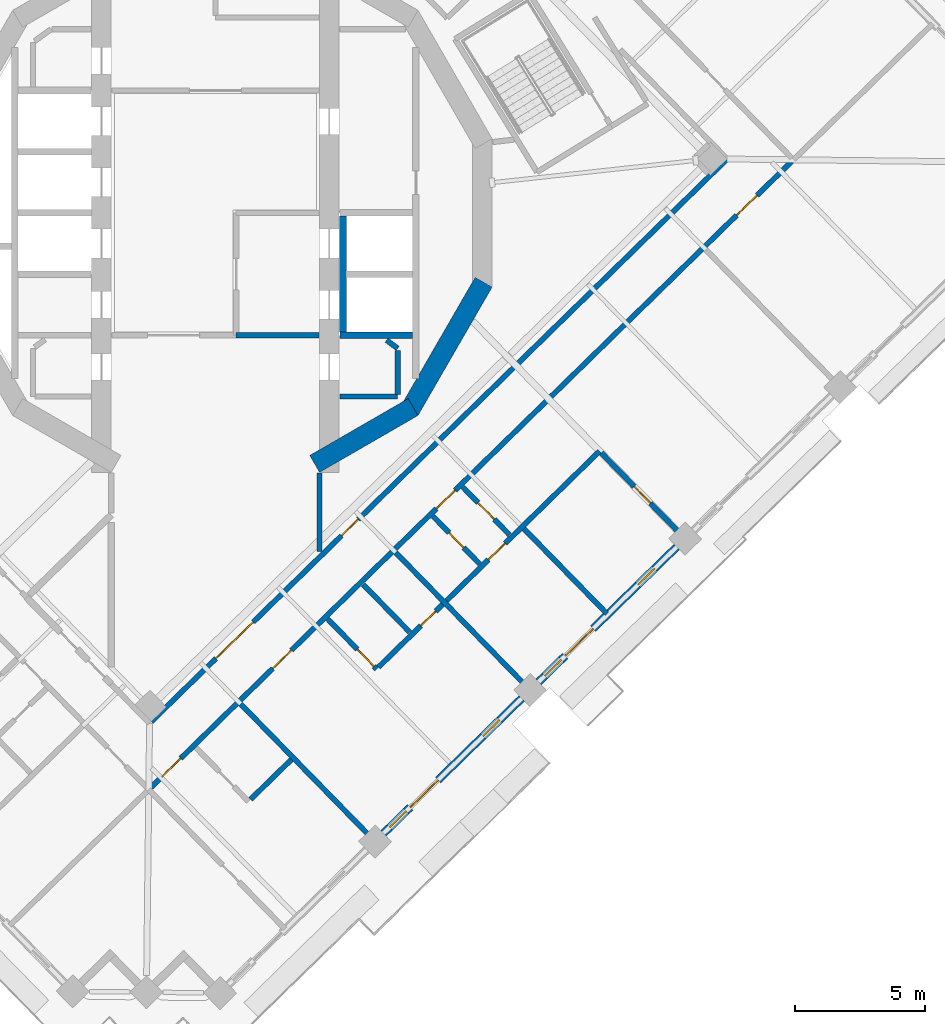
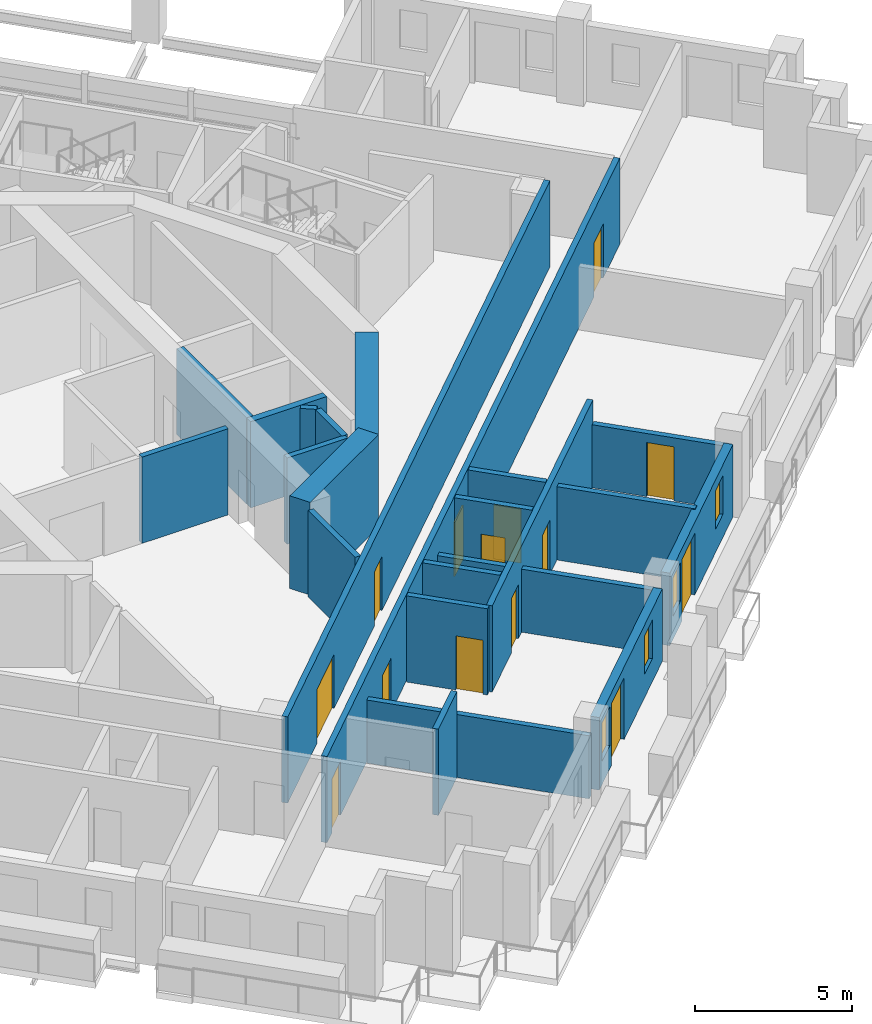
# One storey, part 9 of 20: 23 walls, 14 doors, 4 windows, 18 openings.
"""IFC4 building model written with IfcOpenShell, lengths in metres."""

from ifc_helpers import new_model, si_unit, direction, frame, frame_2d, origin, place, context, subcontext, project, spatial, rectangle, extrude, material, layer, layer_set, type_object, element, fill, save


model = new_model("IFC4")

# Units and contexts
model_context = context("Model", 3, precision=1e-05, world=origin(), true_north=direction((0.0, 1.0)))
body_context = subcontext(model_context, "Body", "Model", "MODEL_VIEW")
ifc_project = project(units=[si_unit("LENGTHUNIT", "METRE"), si_unit("AREAUNIT", "SQUARE_METRE"), si_unit("VOLUMEUNIT", "CUBIC_METRE"), si_unit("PLANEANGLEUNIT", "RADIAN"), si_unit("MASSUNIT", "GRAM", prefix="KILO")], contexts=[model_context])

# Site, building, storey
site_placement = place(None, origin())
site = spatial("IfcSite", under=ifc_project, at=site_placement, CompositionType="ELEMENT")
building_placement = place(site_placement, origin())
building = spatial("IfcBuilding", under=site, at=building_placement, Name="Cantera Rosa Tower", CompositionType="ELEMENT")
storey_placement = place(building_placement, frame((0.0, 0.0, 212.60009765625)))
storey = spatial("IfcBuildingStorey", under=building, at=storey_placement, Name="L45", CompositionType="ELEMENT", Elevation=212.60009765625)

# Wall, openings, doors
ifc_material_1 = material(Name="Gypsum board partition")
ifc_layer_1 = layer(ifc_material_1, 0.199951171875)
ifc_layer_set_1 = layer_set([ifc_layer_1], Name="CORRIDOR WALL 200 H3350")
wall_type_1 = type_object("IfcWallType", Name="CORRIDOR WALL 200 H3350", PredefinedType="PARTITIONING", material=ifc_layer_set_1)
wall_1_placement = place(storey_placement, frame((-2.469970703125, -22.0556640625, 0.0), z_axis=(0.0, 0.0, 1.0), x_axis=(0.715286619748, 0.698831203946, 0.0)))
wall_1 = element("IfcWall", 1, at=wall_1_placement, inside=storey, type_object=wall_type_1, Name="CORRIDOR WALL L45-062", PredefinedType="PARTITIONING", context=body_context, shape_type="SweptSolid", body=[
    extrude(rectangle(XDim=34.47998046875, YDim=0.199951171875, at=frame_2d((17.239990234375, 0.0))), origin(), (0.0, 0.0, 1.0), 3.349853515625),
])
opening_1_placement = place(wall_1_placement, frame((6.534912109375, 0.0, 0.0)))
opening_1 = element("IfcOpeningElement", 2, at=opening_1_placement, cuts=wall_1, Name="Opening L45-045", PredefinedType="OPENING", context=body_context, shape_type="SweptSolid", body=[
    extrude(rectangle(XDim=1.0, YDim=2.10009765625, at=frame_2d((0.5, 1.050048828125))), frame((0.0, 0.10986328125, 0.0), z_axis=(0.0, -1.0, 0.0), x_axis=(1.0, 0.0, 0.0)), (0.0, 0.0, 1.0), 0.219970703125),
])
opening_2_placement = place(wall_1_placement, frame((15.320068359375, 0.0, 0.0)))
opening_2 = element("IfcOpeningElement", 3, at=opening_2_placement, cuts=wall_1, Name="Opening L45-048", PredefinedType="OPENING", context=body_context, shape_type="SweptSolid", body=[
    extrude(rectangle(XDim=1.0, YDim=2.10009765625, at=frame_2d((0.5, 1.050048828125))), frame((0.0, 0.10986328125, 0.0), z_axis=(0.0, -1.0, 0.0), x_axis=(1.0, 0.0, 0.0)), (0.0, 0.0, 1.0), 0.219970703125),
])
opening_3_placement = place(wall_1_placement, frame((0.590087890625, 0.0, 0.0)))
opening_3 = element("IfcOpeningElement", 4, at=opening_3_placement, cuts=wall_1, Name="Opening L45-053", PredefinedType="OPENING", context=body_context, shape_type="SweptSolid", body=[
    extrude(rectangle(XDim=1.0, YDim=2.10009765625, at=frame_2d((0.5, 1.050048828125))), frame((0.0, 0.10986328125, 0.0), z_axis=(0.0, -1.0, 0.0), x_axis=(1.0, 0.0, 0.0)), (0.0, 0.0, 1.0), 0.219970703125),
])
opening_4_placement = place(wall_1_placement, frame((31.429931640625, 0.0, 0.0)))
opening_4 = element("IfcOpeningElement", 5, at=opening_4_placement, cuts=wall_1, Name="Opening L45-056", PredefinedType="OPENING", context=body_context, shape_type="SweptSolid", body=[
    extrude(rectangle(XDim=1.10009765625, YDim=2.10009765625, at=frame_2d((0.550048828125, 1.050048828125))), frame((0.0, 0.10986328125, 0.0), z_axis=(0.0, -1.0, 0.0), x_axis=(1.0, 0.0, 0.0)), (0.0, 0.0, 1.0), 0.219970703125),
])
ifc_material_2 = material(Name="Timber door leaf", Category="wood")
door_type_1 = type_object("IfcDoorType", Name="ENTRANCE DOOR 1000x2100", OperationType="NOTDEFINED", PredefinedType="DOOR", material=ifc_material_2)
door_1_placement = place(opening_1_placement, origin())
door_1 = element("IfcDoor", 6, at=door_1_placement, inside=storey, type_object=door_type_1, Name="DOOR L45-045", OperationType="NOTDEFINED", OverallHeight=2.10009765625, OverallWidth=1.0, PredefinedType="DOOR", context=body_context, shape_type="SweptSolid", body=[
    extrude(rectangle(XDim=1.0, YDim=2.10009765625, at=frame_2d((0.5, 1.050048828125))), frame((0.0, 0.02490234375, 0.0), z_axis=(0.0, -1.0, 0.0), x_axis=(1.0, 0.0, 0.0)), (0.0, 0.0, 1.0), 0.050048828125),
])
fill(opening_1, door_1)
door_2_placement = place(opening_2_placement, origin())
door_2 = element("IfcDoor", 7, at=door_2_placement, inside=storey, type_object=door_type_1, Name="DOOR L45-048", OperationType="NOTDEFINED", OverallHeight=2.10009765625, OverallWidth=1.0, PredefinedType="DOOR", context=body_context, shape_type="SweptSolid", body=[
    extrude(rectangle(XDim=1.0, YDim=2.10009765625, at=frame_2d((0.5, 1.050048828125))), frame((0.0, 0.02490234375, 0.0), z_axis=(0.0, -1.0, 0.0), x_axis=(1.0, 0.0, 0.0)), (0.0, 0.0, 1.0), 0.050048828125),
])
fill(opening_2, door_2)
door_3_placement = place(opening_3_placement, origin())
door_3 = element("IfcDoor", 8, at=door_3_placement, inside=storey, type_object=door_type_1, Name="DOOR L45-053", OperationType="NOTDEFINED", OverallHeight=2.10009765625, OverallWidth=1.0, PredefinedType="DOOR", context=body_context, shape_type="SweptSolid", body=[
    extrude(rectangle(XDim=1.0, YDim=2.10009765625, at=frame_2d((0.5, 1.050048828125))), frame((0.0, 0.02490234375, 0.0), z_axis=(0.0, -1.0, 0.0), x_axis=(1.0, 0.0, 0.0)), (0.0, 0.0, 1.0), 0.050048828125),
])
fill(opening_3, door_3)
ifc_material_3 = material(Name="Timber door leaf", Category="wood")
door_type_2 = type_object("IfcDoorType", Name="ROOM DOOR 1100x2100", OperationType="NOTDEFINED", PredefinedType="DOOR", material=ifc_material_3)
door_4_placement = place(opening_4_placement, origin())
door_4 = element("IfcDoor", 9, at=door_4_placement, inside=storey, type_object=door_type_2, Name="DOOR L45-056", OperationType="NOTDEFINED", OverallHeight=2.10009765625, OverallWidth=1.10009765625, PredefinedType="DOOR", context=body_context, shape_type="SweptSolid", body=[
    extrude(rectangle(XDim=1.10009765625, YDim=2.10009765625, at=frame_2d((0.550048828125, 1.050048828125))), frame((0.0, 0.02490234375, 0.0), z_axis=(0.0, -1.0, 0.0), x_axis=(1.0, 0.0, 0.0)), (0.0, 0.0, 1.0), 0.050048828125),
])
fill(opening_4, door_4)

wall_2_placement = place(storey_placement, frame((-2.45458984375, -19.5244140625, 0.0), z_axis=(0.0, 0.0, 1.0), x_axis=(0.715283867267, 0.698834021229, 0.0)))
wall_2 = element("IfcWall", 10, at=wall_2_placement, inside=storey, type_object=wall_type_1, Name="CORRIDOR WALL L45-063", PredefinedType="PARTITIONING", context=body_context, shape_type="SweptSolid", body=[
    extrude(rectangle(XDim=30.900146484375, YDim=0.199951171875, at=frame_2d((15.4501953125, 0.0))), origin(), (0.0, 0.0, 1.0), 3.349853515625),
])
opening_5_placement = place(wall_2_placement, frame((10.20458984375, 0.0, 0.0)))
opening_5 = element("IfcOpeningElement", 11, at=opening_5_placement, cuts=wall_2, Name="Opening L45-011", PredefinedType="OPENING", context=body_context, shape_type="SweptSolid", body=[
    extrude(rectangle(XDim=0.89990234375, YDim=2.10009765625, at=frame_2d((0.449951171875, 1.050048828125))), frame((0.0, 0.10986328125, 0.0), z_axis=(0.0, -1.0, 0.0), x_axis=(1.0, 0.0, 0.0)), (0.0, 0.0, 1.0), 0.219970703125),
])
opening_6_placement = place(wall_2_placement, frame((3.4619140625, 0.0, 0.0)))
opening_6 = element("IfcOpeningElement", 12, at=opening_6_placement, cuts=wall_2, Name="Opening L45-014", PredefinedType="OPENING", context=body_context, shape_type="SweptSolid", body=[
    extrude(rectangle(XDim=2.0, YDim=2.10009765625, at=frame_2d((1.0, 1.050048828125))), frame((0.0, 0.10986328125, 0.0), z_axis=(0.0, -1.0, 0.0), x_axis=(1.0, 0.0, 0.0)), (0.0, 0.0, 1.0), 0.219970703125),
])
ifc_material_4 = material(Name="Steel S355J2 (EN 10025-2)", Category="steel")
door_type_3 = type_object("IfcDoorType", Name="LOBBY SCREEN DOOR 2000x2100", OperationType="NOTDEFINED", PredefinedType="DOOR", material=ifc_material_4)
door_5_placement = place(opening_6_placement, origin())
door_5 = element("IfcDoor", 13, at=door_5_placement, inside=storey, type_object=door_type_3, Name="DOOR L45-014", OperationType="NOTDEFINED", OverallHeight=2.10009765625, OverallWidth=2.0, PredefinedType="DOOR", context=body_context, shape_type="SweptSolid", body=[
    extrude(rectangle(XDim=2.0, YDim=2.10009765625, at=frame_2d((1.0, 1.050048828125))), frame((0.0, 0.02490234375, 0.0), z_axis=(0.0, -1.0, 0.0), x_axis=(1.0, 0.0, 0.0)), (0.0, 0.0, 1.0), 0.050048828125),
])
fill(opening_6, door_5)
ifc_material_5 = material(Name="Timber door leaf", Category="wood")
door_type_4 = type_object("IfcDoorType", Name="SERVICE DOOR 900x2100", OperationType="NOTDEFINED", PredefinedType="DOOR", material=ifc_material_5)
door_6_placement = place(opening_5_placement, origin())
door_6 = element("IfcDoor", 14, at=door_6_placement, inside=storey, type_object=door_type_4, Name="DOOR L45-011", OperationType="NOTDEFINED", OverallHeight=2.10009765625, OverallWidth=0.89990234375, PredefinedType="DOOR", context=body_context, shape_type="SweptSolid", body=[
    extrude(rectangle(XDim=0.89990234375, YDim=2.10009765625, at=frame_2d((0.449951171875, 1.050048828125))), frame((0.0, 0.02490234375, 0.0), z_axis=(0.0, -1.0, 0.0), x_axis=(1.0, 0.0, 0.0)), (0.0, 0.0, 1.0), 0.050048828125),
])
fill(opening_5, door_6)

# Wall
wall_3_placement = place(storey_placement, frame((4.0, -12.998046875, 0.0), z_axis=(0.0, 0.0, 1.0), x_axis=(0.0, 1.0, 0.0)))
element("IfcWall", 15, at=wall_3_placement, inside=storey, type_object=wall_type_1, Name="CORRIDOR WALL L45-078", PredefinedType="PARTITIONING", context=body_context, shape_type="SweptSolid", body=[
    extrude(rectangle(XDim=3.00390625, YDim=0.199951171875, at=frame_2d((1.501953125, 0.0))), origin(), (0.0, 0.0, 1.0), 3.349853515625),
])

# Wall, openings, windows, door
ifc_material_6 = material(Name="Hollow clay masonry with cantera stone cladding", Category="masonry")
ifc_layer_2 = layer(ifc_material_6, 0.300048828125)
ifc_layer_set_2 = layer_set([ifc_layer_2], Name="EW-LOGGIA 300 H2820")
wall_type_2 = type_object("IfcWallType", Name="EW-LOGGIA 300 H2820", PredefinedType="SOLIDWALL", material=ifc_layer_set_2)
wall_4_placement = place(storey_placement, frame((6.454833984375, -23.8212890625, 0.0), z_axis=(0.0, 0.0, 1.0), x_axis=(0.715300826176, 0.698816662703, 0.0)))
wall_4 = element("IfcWall", 16, at=wall_4_placement, inside=storey, type_object=wall_type_2, Name="EN-L45-W22", PredefinedType="SOLIDWALL", context=body_context, shape_type="SweptSolid", body=[
    extrude(rectangle(XDim=7.420166015625, YDim=0.300048828125, at=frame_2d((3.7099609375, 0.0))), origin(), (0.0, 0.0, 1.0), 2.81982421875),
])
opening_7_placement = place(wall_4_placement, frame((0.330078125, 0.0, 0.89990234375)))
opening_7 = element("IfcOpeningElement", 17, at=opening_7_placement, cuts=wall_4, Name="Opening L45-W40", PredefinedType="OPENING", context=body_context, shape_type="SweptSolid", body=[
    extrude(rectangle(XDim=0.89990234375, YDim=1.5, at=frame_2d((0.449951171875, 0.75))), frame((0.0, 0.159912109375, 0.0), z_axis=(0.0, -1.0, 0.0), x_axis=(1.0, 0.0, 0.0)), (0.0, 0.0, 1.0), 0.320068359375),
])
opening_8_placement = place(wall_4_placement, frame((1.429931640625, 0.0, 0.0)))
opening_8 = element("IfcOpeningElement", 18, at=opening_8_placement, cuts=wall_4, Name="Opening L45-TD41", PredefinedType="OPENING", context=body_context, shape_type="SweptSolid", body=[
    extrude(rectangle(XDim=1.5, YDim=2.39990234375, at=frame_2d((0.75, 1.199951171875))), frame((0.0, 0.159912109375, 0.0), z_axis=(0.0, -1.0, 0.0), x_axis=(1.0, 0.0, 0.0)), (0.0, 0.0, 1.0), 0.320068359375),
])
opening_9_placement = place(wall_4_placement, frame((5.340087890625, 0.0, 0.89990234375)))
opening_9 = element("IfcOpeningElement", 19, at=opening_9_placement, cuts=wall_4, Name="Opening L45-W42", PredefinedType="OPENING", context=body_context, shape_type="SweptSolid", body=[
    extrude(rectangle(XDim=0.89990234375, YDim=1.5, at=frame_2d((0.449951171875, 0.75))), frame((0.0, 0.159912109375, 0.0), z_axis=(0.0, -1.0, 0.0), x_axis=(1.0, 0.0, 0.0)), (0.0, 0.0, 1.0), 0.320068359375),
])
ifc_material_7 = material(Name="Aluminium frame with clear glass", Category="aluminium")
window_type = type_object("IfcWindowType", Name="Residential window 900x1500", PartitioningType="SINGLE_PANEL", PredefinedType="WINDOW", material=ifc_material_7)
window_1_placement = place(opening_7_placement, origin())
window_1 = element("IfcWindow", 20, at=window_1_placement, inside=storey, type_object=window_type, Name="WINDOW L45-W40", OverallHeight=1.5, OverallWidth=0.89990234375, PartitioningType="SINGLE_PANEL", PredefinedType="WINDOW", context=body_context, shape_type="SweptSolid", body=[
    extrude(rectangle(XDim=0.89990234375, YDim=1.5, at=frame_2d((0.449951171875, 0.75))), frame((0.0, 0.030029296875, 0.0), z_axis=(0.0, -1.0, 0.0), x_axis=(1.0, 0.0, 0.0)), (0.0, 0.0, 1.0), 0.06005859375),
])
fill(opening_7, window_1)
window_2_placement = place(opening_9_placement, origin())
window_2 = element("IfcWindow", 21, at=window_2_placement, inside=storey, type_object=window_type, Name="WINDOW L45-W42", OverallHeight=1.5, OverallWidth=0.89990234375, PartitioningType="SINGLE_PANEL", PredefinedType="WINDOW", context=body_context, shape_type="SweptSolid", body=[
    extrude(rectangle(XDim=0.89990234375, YDim=1.5, at=frame_2d((0.449951171875, 0.75))), frame((0.0, 0.030029296875, 0.0), z_axis=(0.0, -1.0, 0.0), x_axis=(1.0, 0.0, 0.0)), (0.0, 0.0, 1.0), 0.06005859375),
])
fill(opening_9, window_2)
ifc_material_8 = material(Name="Aluminium frame with clear glass", Category="aluminium")
door_type_5 = type_object("IfcDoorType", Name="TD-R 1500x2400", OperationType="NOTDEFINED", PredefinedType="DOOR", material=ifc_material_8)
door_7_placement = place(opening_8_placement, origin())
door_7 = element("IfcDoor", 22, at=door_7_placement, inside=storey, type_object=door_type_5, Name="LOGGIA DOOR L45-TD41", OperationType="SLIDING_TO_LEFT", OverallHeight=2.39990234375, OverallWidth=1.5, PredefinedType="DOOR", context=body_context, shape_type="SweptSolid", body=[
    extrude(rectangle(XDim=1.5, YDim=2.39990234375, at=frame_2d((0.75, 1.199951171875))), frame((0.0, 0.02490234375, 0.0), z_axis=(0.0, -1.0, 0.0), x_axis=(1.0, 0.0, 0.0)), (0.0, 0.0, 1.0), 0.050048828125),
])
fill(opening_8, door_7)

wall_5_placement = place(storey_placement, frame((12.406005859375, -18.007080078125, 0.0), z_axis=(0.0, 0.0, 1.0), x_axis=(0.715300826176, 0.698816662703, 0.0)))
wall_5 = element("IfcWall", 23, at=wall_5_placement, inside=storey, type_object=wall_type_2, Name="EN-L45-W23", PredefinedType="SOLIDWALL", context=body_context, shape_type="SweptSolid", body=[
    extrude(rectangle(XDim=7.420166015625, YDim=0.300048828125, at=frame_2d((3.7099609375, 0.0))), origin(), (0.0, 0.0, 1.0), 2.81982421875),
])
opening_10_placement = place(wall_5_placement, frame((0.330078125, 0.0, 0.89990234375)))
opening_10 = element("IfcOpeningElement", 24, at=opening_10_placement, cuts=wall_5, Name="Opening L45-W43", PredefinedType="OPENING", context=body_context, shape_type="SweptSolid", body=[
    extrude(rectangle(XDim=0.89990234375, YDim=1.5, at=frame_2d((0.449951171875, 0.75))), frame((0.0, 0.159912109375, 0.0), z_axis=(0.0, -1.0, 0.0), x_axis=(1.0, 0.0, 0.0)), (0.0, 0.0, 1.0), 0.320068359375),
])
opening_11_placement = place(wall_5_placement, frame((1.429931640625, 0.0, 0.0)))
opening_11 = element("IfcOpeningElement", 25, at=opening_11_placement, cuts=wall_5, Name="Opening L45-TD44", PredefinedType="OPENING", context=body_context, shape_type="SweptSolid", body=[
    extrude(rectangle(XDim=1.5, YDim=2.39990234375, at=frame_2d((0.75, 1.199951171875))), frame((0.0, 0.159912109375, 0.0), z_axis=(0.0, -1.0, 0.0), x_axis=(1.0, 0.0, 0.0)), (0.0, 0.0, 1.0), 0.320068359375),
])
opening_12_placement = place(wall_5_placement, frame((5.340087890625, 0.0, 0.89990234375)))
opening_12 = element("IfcOpeningElement", 26, at=opening_12_placement, cuts=wall_5, Name="Opening L45-W45", PredefinedType="OPENING", context=body_context, shape_type="SweptSolid", body=[
    extrude(rectangle(XDim=0.89990234375, YDim=1.5, at=frame_2d((0.449951171875, 0.75))), frame((0.0, 0.159912109375, 0.0), z_axis=(0.0, -1.0, 0.0), x_axis=(1.0, 0.0, 0.0)), (0.0, 0.0, 1.0), 0.320068359375),
])
window_3_placement = place(opening_10_placement, origin())
window_3 = element("IfcWindow", 27, at=window_3_placement, inside=storey, type_object=window_type, Name="WINDOW L45-W43", OverallHeight=1.5, OverallWidth=0.89990234375, PartitioningType="SINGLE_PANEL", PredefinedType="WINDOW", context=body_context, shape_type="SweptSolid", body=[
    extrude(rectangle(XDim=0.89990234375, YDim=1.5, at=frame_2d((0.449951171875, 0.75))), frame((0.0, 0.030029296875, 0.0), z_axis=(0.0, -1.0, 0.0), x_axis=(1.0, 0.0, 0.0)), (0.0, 0.0, 1.0), 0.06005859375),
])
fill(opening_10, window_3)
window_4_placement = place(opening_12_placement, origin())
window_4 = element("IfcWindow", 28, at=window_4_placement, inside=storey, type_object=window_type, Name="WINDOW L45-W45", OverallHeight=1.5, OverallWidth=0.89990234375, PartitioningType="SINGLE_PANEL", PredefinedType="WINDOW", context=body_context, shape_type="SweptSolid", body=[
    extrude(rectangle(XDim=0.89990234375, YDim=1.5, at=frame_2d((0.449951171875, 0.75))), frame((0.0, 0.030029296875, 0.0), z_axis=(0.0, -1.0, 0.0), x_axis=(1.0, 0.0, 0.0)), (0.0, 0.0, 1.0), 0.06005859375),
])
fill(opening_12, window_4)
door_8_placement = place(opening_11_placement, origin())
door_8 = element("IfcDoor", 29, at=door_8_placement, inside=storey, type_object=door_type_5, Name="LOGGIA DOOR L45-TD44", OperationType="SLIDING_TO_LEFT", OverallHeight=2.39990234375, OverallWidth=1.5, PredefinedType="DOOR", context=body_context, shape_type="SweptSolid", body=[
    extrude(rectangle(XDim=1.5, YDim=2.39990234375, at=frame_2d((0.75, 1.199951171875))), frame((0.0, 0.02490234375, 0.0), z_axis=(0.0, -1.0, 0.0), x_axis=(1.0, 0.0, 0.0)), (0.0, 0.0, 1.0), 0.050048828125),
])
fill(opening_11, door_8)

# Wall, opening, door
ifc_material_9 = material(Name="Gypsum board partition")
ifc_layer_3 = layer(ifc_material_9, 0.199951171875)
ifc_layer_set_3 = layer_set([ifc_layer_3], Name="PARTITION 200 H2450")
wall_type_3 = type_object("IfcWallType", Name="PARTITION 200 H2450", PredefinedType="PARTITIONING", material=ifc_layer_set_3)
wall_6_placement = place(storey_placement, frame((14.82080078125, -9.217041015625, 0.0), z_axis=(0.0, 0.0, 1.0), x_axis=(0.698831711541, -0.71528612383, 0.0)))
wall_6 = element("IfcWall", 30, at=wall_6_placement, inside=storey, type_object=wall_type_3, Name="PARTITION L45-113", PredefinedType="PARTITIONING", context=body_context, shape_type="SweptSolid", body=[
    extrude(rectangle(XDim=4.56982421875, YDim=0.199951171875, at=frame_2d((2.284912109375, 0.0))), origin(), (0.0, 0.0, 1.0), 2.449951171875),
])
opening_13_placement = place(wall_6_placement, frame((1.800048828125, 0.0, 0.0)))
opening_13 = element("IfcOpeningElement", 31, at=opening_13_placement, cuts=wall_6, Name="Opening L45-052", PredefinedType="OPENING", context=body_context, shape_type="SweptSolid", body=[
    extrude(rectangle(XDim=0.89990234375, YDim=2.10009765625, at=frame_2d((0.449951171875, 1.050048828125))), frame((0.0, 0.10986328125, 0.0), z_axis=(0.0, -1.0, 0.0), x_axis=(1.0, 0.0, 0.0)), (0.0, 0.0, 1.0), 0.219970703125),
])
ifc_material_10 = material(Name="Timber door leaf", Category="wood")
door_type_6 = type_object("IfcDoorType", Name="ROOM DOOR 900x2100", OperationType="NOTDEFINED", PredefinedType="DOOR", material=ifc_material_10)
door_9_placement = place(opening_13_placement, origin())
door_9 = element("IfcDoor", 32, at=door_9_placement, inside=storey, type_object=door_type_6, Name="DOOR L45-052", OperationType="NOTDEFINED", OverallHeight=2.10009765625, OverallWidth=0.89990234375, PredefinedType="DOOR", context=body_context, shape_type="SweptSolid", body=[
    extrude(rectangle(XDim=0.89990234375, YDim=2.10009765625, at=frame_2d((0.449951171875, 1.050048828125))), frame((0.0, 0.02490234375, 0.0), z_axis=(0.0, -1.0, 0.0), x_axis=(1.0, 0.0, 0.0)), (0.0, 0.0, 1.0), 0.050048828125),
])
fill(opening_13, door_9)

# Walls
ifc_material_11 = material(Name="Gypsum board partition")
ifc_layer_4 = layer(ifc_material_11, 0.199951171875)
ifc_layer_set_4 = layer_set([ifc_layer_4], Name="PARTITION 200 H2850")
wall_type_4 = type_object("IfcWallType", Name="PARTITION 200 H2850", PredefinedType="PARTITIONING", material=ifc_layer_set_4)
wall_7_placement = place(storey_placement, frame((11.84521484375, -12.1240234375, 0.0), z_axis=(0.0, 0.0, 1.0), x_axis=(0.698805007599, -0.715312212502, 0.0)))
element("IfcWall", 33, at=wall_7_placement, inside=storey, type_object=wall_type_4, Name="PARTITION L45-107", PredefinedType="PARTITIONING", context=body_context, shape_type="SweptSolid", body=[
    extrude(rectangle(XDim=4.570068359375, YDim=0.199951171875, at=frame_2d((2.28515625, 0.0))), origin(), (0.0, 0.0, 1.0), 2.849853515625),
])
ifc_material_12 = material(Name="Gypsum board partition")
ifc_layer_5 = layer(ifc_material_12, 0.199951171875)
ifc_layer_set_5 = layer_set([ifc_layer_5], Name="PARTITION 200 H3350")
wall_type_5 = type_object("IfcWallType", Name="PARTITION 200 H3350", PredefinedType="PARTITIONING", material=ifc_layer_set_5)
wall_8_placement = place(storey_placement, frame((2.916748046875, -20.98681640625, 0.0), z_axis=(0.0, 0.0, 1.0), x_axis=(-0.715234272025, -0.69888478029, 0.0)))
element("IfcWall", 34, at=wall_8_placement, inside=storey, type_object=wall_type_5, Name="PARTITION L45-076", PredefinedType="PARTITIONING", context=body_context, shape_type="SweptSolid", body=[
    extrude(rectangle(XDim=2.18017578125, YDim=0.199951171875, at=frame_2d((1.090087890625, 0.0))), origin(), (0.0, 0.0, 1.0), 3.349853515625),
])

# Wall, opening, door
wall_9_placement = place(storey_placement, frame((6.18896484375, -17.510498046875, 0.0), z_axis=(0.0, 0.0, 1.0), x_axis=(-0.698814330011, 0.715303105104, 0.0)))
wall_9 = element("IfcWall", 35, at=wall_9_placement, inside=storey, type_object=wall_type_5, Name="PARTITION L45-087", PredefinedType="PARTITIONING", context=body_context, shape_type="SweptSolid", body=[
    extrude(rectangle(XDim=2.679931640625, YDim=0.199951171875, at=frame_2d((1.33984375, 0.0))), origin(), (0.0, 0.0, 1.0), 3.349853515625),
])
opening_14_placement = place(wall_9_placement, frame((0.14990234375, 0.0, 0.0)))
opening_14 = element("IfcOpeningElement", 36, at=opening_14_placement, cuts=wall_9, Name="Opening L45-047", PredefinedType="OPENING", context=body_context, shape_type="SweptSolid", body=[
    extrude(rectangle(XDim=0.89990234375, YDim=2.10009765625, at=frame_2d((0.449951171875, 1.050048828125))), frame((0.0, 0.10986328125, 0.0), z_axis=(0.0, -1.0, 0.0), x_axis=(1.0, 0.0, 0.0)), (0.0, 0.0, 1.0), 0.219970703125),
])
door_10_placement = place(opening_14_placement, origin())
door_10 = element("IfcDoor", 37, at=door_10_placement, inside=storey, type_object=door_type_6, Name="DOOR L45-047", OperationType="NOTDEFINED", OverallHeight=2.10009765625, OverallWidth=0.89990234375, PredefinedType="DOOR", context=body_context, shape_type="SweptSolid", body=[
    extrude(rectangle(XDim=0.89990234375, YDim=2.10009765625, at=frame_2d((0.449951171875, 1.050048828125))), frame((0.0, 0.02490234375, 0.0), z_axis=(0.0, -1.0, 0.0), x_axis=(1.0, 0.0, 0.0)), (0.0, 0.0, 1.0), 0.050048828125),
])
fill(opening_14, door_10)

# Walls
wall_10_placement = place(storey_placement, frame((6.572509765625, -4.888427734375, 0.0), z_axis=(0.0, 0.0, 1.0), x_axis=(0.808176867567, -0.588939853236, 0.0)))
element("IfcWall", 38, at=wall_10_placement, inside=storey, type_object=wall_type_5, Name="PARTITION L45-088", PredefinedType="PARTITIONING", context=body_context, shape_type="SweptSolid", body=[
    extrude(rectangle(XDim=0.529052734375, YDim=0.199951171875, at=frame_2d((0.2646484375, 0.0))), origin(), (0.0, 0.0, 1.0), 3.349853515625),
])
wall_11_placement = place(storey_placement, frame((7.0, -7.050048828125, 0.0), z_axis=(0.0, 0.0, 1.0), x_axis=(-1.0, 0.0, 0.0)))
element("IfcWall", 39, at=wall_11_placement, inside=storey, type_object=wall_type_5, Name="PARTITION L45-091", PredefinedType="PARTITIONING", context=body_context, shape_type="SweptSolid", body=[
    extrude(rectangle(XDim=2.219970703125, YDim=0.199951171875, at=frame_2d((1.10986328125, 0.0))), origin(), (0.0, 0.0, 1.0), 3.349853515625),
])
wall_12_placement = place(storey_placement, frame((7.0, -5.280029296875, 0.0), z_axis=(0.0, 0.0, 1.0), x_axis=(0.0, -1.0, 0.0)))
element("IfcWall", 40, at=wall_12_placement, inside=storey, type_object=wall_type_5, Name="PARTITION L45-092", PredefinedType="PARTITIONING", context=body_context, shape_type="SweptSolid", body=[
    extrude(rectangle(XDim=1.68994140625, YDim=0.199951171875, at=frame_2d((0.844970703125, 0.0))), origin(), (0.0, 0.0, 1.0), 3.349853515625),
])
wall_13_placement = place(storey_placement, frame((7.464111328125, -16.0966796875, 0.0), z_axis=(0.0, 0.0, 1.0), x_axis=(-0.698857556493, 0.715260872502, 0.0)))
element("IfcWall", 41, at=wall_13_placement, inside=storey, type_object=wall_type_5, Name="PARTITION L45-095", PredefinedType="PARTITIONING", context=body_context, shape_type="SweptSolid", body=[
    extrude(rectangle(XDim=2.56005859375, YDim=0.199951171875, at=frame_2d((1.280029296875, 0.0))), origin(), (0.0, 0.0, 1.0), 3.349853515625),
])

# Wall, opening, door
wall_14_placement = place(storey_placement, frame((8.357421875, -11.64501953125, 0.0), z_axis=(0.0, 0.0, 1.0), x_axis=(0.698809886965, -0.715307445705, 0.0)))
wall_14 = element("IfcWall", 42, at=wall_14_placement, inside=storey, type_object=wall_type_5, Name="PARTITION L45-099", PredefinedType="PARTITIONING", context=body_context, shape_type="SweptSolid", body=[
    extrude(rectangle(XDim=2.56005859375, YDim=0.199951171875, at=frame_2d((1.280029296875, 0.0))), origin(), (0.0, 0.0, 1.0), 3.349853515625),
])
opening_15_placement = place(wall_14_placement, frame((0.8798828125, 0.0, 0.0)))
opening_15 = element("IfcOpeningElement", 43, at=opening_15_placement, cuts=wall_14, Name="Opening L45-049", PredefinedType="OPENING", context=body_context, shape_type="SweptSolid", body=[
    extrude(rectangle(XDim=0.800048828125, YDim=2.10009765625, at=frame_2d((0.39990234375, 1.050048828125))), frame((0.0, 0.10986328125, 0.0), z_axis=(0.0, -1.0, 0.0), x_axis=(1.0, 0.0, 0.0)), (0.0, 0.0, 1.0), 0.219970703125),
])
ifc_material_13 = material(Name="Timber door leaf", Category="wood")
door_type_7 = type_object("IfcDoorType", Name="BATHROOM DOOR 800x2100", OperationType="NOTDEFINED", PredefinedType="DOOR", material=ifc_material_13)
door_11_placement = place(opening_15_placement, origin())
door_11 = element("IfcDoor", 44, at=door_11_placement, inside=storey, type_object=door_type_7, Name="DOOR L45-049", OperationType="NOTDEFINED", OverallHeight=2.10009765625, OverallWidth=0.800048828125, PredefinedType="DOOR", context=body_context, shape_type="SweptSolid", body=[
    extrude(rectangle(XDim=0.800048828125, YDim=2.10009765625, at=frame_2d((0.39990234375, 1.050048828125))), frame((0.0, 0.02490234375, 0.0), z_axis=(0.0, -1.0, 0.0), x_axis=(1.0, 0.0, 0.0)), (0.0, 0.0, 1.0), 0.050048828125),
])
fill(opening_15, door_11)

wall_15_placement = place(storey_placement, frame((9.501953125, -10.527099609375, 0.0), z_axis=(0.0, 0.0, 1.0), x_axis=(0.698857556493, -0.715260872502, 0.0)))
wall_15 = element("IfcWall", 45, at=wall_15_placement, inside=storey, type_object=wall_type_5, Name="PARTITION L45-102", PredefinedType="PARTITIONING", context=body_context, shape_type="SweptSolid", body=[
    extrude(rectangle(XDim=2.56005859375, YDim=0.199951171875, at=frame_2d((1.280029296875, 0.0))), origin(), (0.0, 0.0, 1.0), 3.349853515625),
])
opening_16_placement = place(wall_15_placement, frame((0.830078125, 0.0, 0.0)))
opening_16 = element("IfcOpeningElement", 46, at=opening_16_placement, cuts=wall_15, Name="Opening L45-050", PredefinedType="OPENING", context=body_context, shape_type="SweptSolid", body=[
    extrude(rectangle(XDim=0.89990234375, YDim=2.10009765625, at=frame_2d((0.449951171875, 1.050048828125))), frame((0.0, 0.10986328125, 0.0), z_axis=(0.0, -1.0, 0.0), x_axis=(1.0, 0.0, 0.0)), (0.0, 0.0, 1.0), 0.219970703125),
])
door_12_placement = place(opening_16_placement, origin())
door_12 = element("IfcDoor", 47, at=door_12_placement, inside=storey, type_object=door_type_6, Name="DOOR L45-050", OperationType="NOTDEFINED", OverallHeight=2.10009765625, OverallWidth=0.89990234375, PredefinedType="DOOR", context=body_context, shape_type="SweptSolid", body=[
    extrude(rectangle(XDim=0.89990234375, YDim=2.10009765625, at=frame_2d((0.449951171875, 1.050048828125))), frame((0.0, 0.02490234375, 0.0), z_axis=(0.0, -1.0, 0.0), x_axis=(1.0, 0.0, 0.0)), (0.0, 0.0, 1.0), 0.050048828125),
])
fill(opening_16, door_12)

# Wall, openings, doors
wall_16_placement = place(storey_placement, frame((14.7509765625, -9.1455078125, 0.0), z_axis=(0.0, 0.0, 1.0), x_axis=(-0.715286034757, -0.698831802712, 0.0)))
wall_16 = element("IfcWall", 48, at=wall_16_placement, inside=storey, type_object=wall_type_5, Name="PARTITION L45-112", PredefinedType="PARTITIONING", context=body_context, shape_type="SweptSolid", body=[
    extrude(rectangle(XDim=11.8701171875, YDim=0.199951171875, at=frame_2d((5.93505859375, 0.0))), origin(), (0.0, 0.0, 1.0), 3.349853515625),
])
opening_17_placement = place(wall_16_placement, frame((8.794921875, 0.0, 0.0)))
opening_17 = element("IfcOpeningElement", 49, at=opening_17_placement, cuts=wall_16, Name="Opening L45-046", PredefinedType="OPENING", context=body_context, shape_type="SweptSolid", body=[
    extrude(rectangle(XDim=0.800048828125, YDim=2.10009765625, at=frame_2d((0.39990234375, 1.050048828125))), frame((0.0, 0.10986328125, 0.0), z_axis=(0.0, -1.0, 0.0), x_axis=(1.0, 0.0, 0.0)), (0.0, 0.0, 1.0), 0.219970703125),
])
opening_18_placement = place(wall_16_placement, frame((5.070068359375, 0.0, 0.0)))
opening_18 = element("IfcOpeningElement", 50, at=opening_18_placement, cuts=wall_16, Name="Opening L45-051", PredefinedType="OPENING", context=body_context, shape_type="SweptSolid", body=[
    extrude(rectangle(XDim=0.89990234375, YDim=2.10009765625, at=frame_2d((0.449951171875, 1.050048828125))), frame((0.0, 0.10986328125, 0.0), z_axis=(0.0, -1.0, 0.0), x_axis=(1.0, 0.0, 0.0)), (0.0, 0.0, 1.0), 0.219970703125),
])
door_13_placement = place(opening_17_placement, origin())
door_13 = element("IfcDoor", 51, at=door_13_placement, inside=storey, type_object=door_type_7, Name="DOOR L45-046", OperationType="NOTDEFINED", OverallHeight=2.10009765625, OverallWidth=0.800048828125, PredefinedType="DOOR", context=body_context, shape_type="SweptSolid", body=[
    extrude(rectangle(XDim=0.800048828125, YDim=2.10009765625, at=frame_2d((0.39990234375, 1.050048828125))), frame((0.0, 0.02490234375, 0.0), z_axis=(0.0, -1.0, 0.0), x_axis=(1.0, 0.0, 0.0)), (0.0, 0.0, 1.0), 0.050048828125),
])
fill(opening_17, door_13)
door_14_placement = place(opening_18_placement, origin())
door_14 = element("IfcDoor", 52, at=door_14_placement, inside=storey, type_object=door_type_6, Name="DOOR L45-051", OperationType="NOTDEFINED", OverallHeight=2.10009765625, OverallWidth=0.89990234375, PredefinedType="DOOR", context=body_context, shape_type="SweptSolid", body=[
    extrude(rectangle(XDim=0.89990234375, YDim=2.10009765625, at=frame_2d((0.449951171875, 1.050048828125))), frame((0.0, 0.02490234375, 0.0), z_axis=(0.0, -1.0, 0.0), x_axis=(1.0, 0.0, 0.0)), (0.0, 0.0, 1.0), 0.050048828125),
])
fill(opening_18, door_14)

# Walls
ifc_material_14 = material(Name="Gypsum board partition")
ifc_layer_6 = layer(ifc_material_14, 0.199951171875)
ifc_layer_set_6 = layer_set([ifc_layer_6], Name="PARTY WALL 200 H2450")
wall_type_6 = type_object("IfcWallType", Name="PARTY WALL 200 H2450", PredefinedType="PARTITIONING", material=ifc_layer_set_6)
wall_17_placement = place(storey_placement, frame((6.112060546875, -24.114501953125, 0.0), z_axis=(0.0, 0.0, 1.0), x_axis=(-0.698821349183, 0.715296247667, 0.0)))
element("IfcWall", 53, at=wall_17_placement, inside=storey, type_object=wall_type_6, Name="PARTY WALL L45-086", PredefinedType="PARTITIONING", context=body_context, shape_type="SweptSolid", body=[
    extrude(rectangle(XDim=7.35009765625, YDim=0.199951171875, at=frame_2d((3.675048828125, 0.0))), origin(), (0.0, 0.0, 1.0), 2.449951171875),
])
wall_18_placement = place(storey_placement, frame((6.927001953125, -13.042724609375, 0.0), z_axis=(0.0, 0.0, 1.0), x_axis=(0.698820957739, -0.715296630095, 0.0)))
element("IfcWall", 54, at=wall_18_placement, inside=storey, type_object=wall_type_6, Name="PARTY WALL L45-089", PredefinedType="PARTITIONING", context=body_context, shape_type="SweptSolid", body=[
    extrude(rectangle(XDim=7.349853515625, YDim=0.199951171875, at=frame_2d((3.6748046875, 0.0))), origin(), (0.0, 0.0, 1.0), 2.449951171875),
])
ifc_material_15 = material(Name="Concrete C60/75", Category="concrete")
ifc_layer_7 = layer(ifc_material_15, 0.75)
ifc_layer_set_7 = layer_set([ifc_layer_7], Name="RC CORE WALL 750 C60/75")
wall_type_7 = type_object("IfcWallType", Name="RC CORE WALL 750 C60/75", PredefinedType="SHEAR", material=ifc_layer_set_7)
wall_19_placement = place(storey_placement, frame((10.300537109375, -2.659423828125, 0.0), z_axis=(0.0, 0.0, 1.0), x_axis=(-0.500021842983, -0.866012792365, 0.0)))
element("IfcWall", 55, at=wall_19_placement, inside=storey, type_object=wall_type_7, Name="CW-E4 L45", PredefinedType="SHEAR", context=body_context, shape_type="SweptSolid", body=[
    extrude(rectangle(XDim=5.694091796875, YDim=0.75, at=frame_2d((2.84716796875, 0.0))), origin(), (0.0, 0.0, 1.0), 3.599853515625),
])
wall_20_placement = place(storey_placement, frame((7.590576171875, -7.453369140625, 0.0), z_axis=(0.0, 0.0, 1.0), x_axis=(-0.866013176292, -0.50002117804, 0.0)))
element("IfcWall", 56, at=wall_20_placement, inside=storey, type_object=wall_type_7, Name="CW-E5 L45", PredefinedType="SHEAR", context=body_context, shape_type="SweptSolid", body=[
    extrude(rectangle(XDim=4.362548828125, YDim=0.75, at=frame_2d((2.18115234375, 0.0))), origin(), (0.0, 0.0, 1.0), 3.599853515625),
])
ifc_material_16 = material(Name="Masonry blockwork", Category="masonry")
ifc_layer_8 = layer(ifc_material_16, 0.25)
ifc_layer_set_8 = layer_set([ifc_layer_8], Name="SHAFT WALL 250 H3350")
wall_type_8 = type_object("IfcWallType", Name="SHAFT WALL 250 H3350", PredefinedType="SOLIDWALL", material=ifc_layer_set_8)
wall_21_placement = place(storey_placement, frame((4.89990234375, -0.125, 0.0), z_axis=(0.0, 0.0, 1.0), x_axis=(0.0, -1.0, 0.0)))
element("IfcWall", 57, at=wall_21_placement, inside=storey, type_object=wall_type_8, Name="SHAFT WALL L45-085", PredefinedType="SOLIDWALL", context=body_context, shape_type="SweptSolid", body=[
    extrude(rectangle(XDim=4.449951171875, YDim=0.25, at=frame_2d((2.22509765625, 0.0))), origin(), (0.0, 0.0, 1.0), 3.349853515625),
])
wall_22_placement = place(storey_placement, frame((7.574951171875, -4.699951171875, 0.0), z_axis=(0.0, 0.0, 1.0), x_axis=(-1.0, 0.0, 0.0)))
element("IfcWall", 58, at=wall_22_placement, inside=storey, type_object=wall_type_8, Name="SHAFT WALL L45-097", PredefinedType="SOLIDWALL", context=body_context, shape_type="SweptSolid", body=[
    extrude(rectangle(XDim=2.794921875, YDim=0.25, at=frame_2d((1.3974609375, 0.0))), origin(), (0.0, 0.0, 1.0), 3.349853515625),
])
ifc_material_17 = material(Name="Concrete C50/60", Category="concrete")
ifc_layer_9 = layer(ifc_material_17, 0.199951171875)
ifc_layer_set_9 = layer_set([ifc_layer_9], Name="STAIR WALL 200 H3350")
wall_type_9 = type_object("IfcWallType", Name="STAIR WALL 200 H3350", PredefinedType="SOLIDWALL", material=ifc_layer_set_9)
wall_23_placement = place(storey_placement, frame((3.969970703125, -4.699951171875, 0.0), z_axis=(0.0, 0.0, 1.0), x_axis=(-1.0, 0.0, 0.0)))
element("IfcWall", 59, at=wall_23_placement, inside=storey, type_object=wall_type_9, Name="STAIR WALL L45-077", PredefinedType="SOLIDWALL", context=body_context, shape_type="SweptSolid", body=[
    extrude(rectangle(XDim=3.169921875, YDim=0.199951171875, at=frame_2d((1.5849609375, 0.0))), origin(), (0.0, 0.0, 1.0), 3.349853515625),
])

save(model, "model.ifc")
